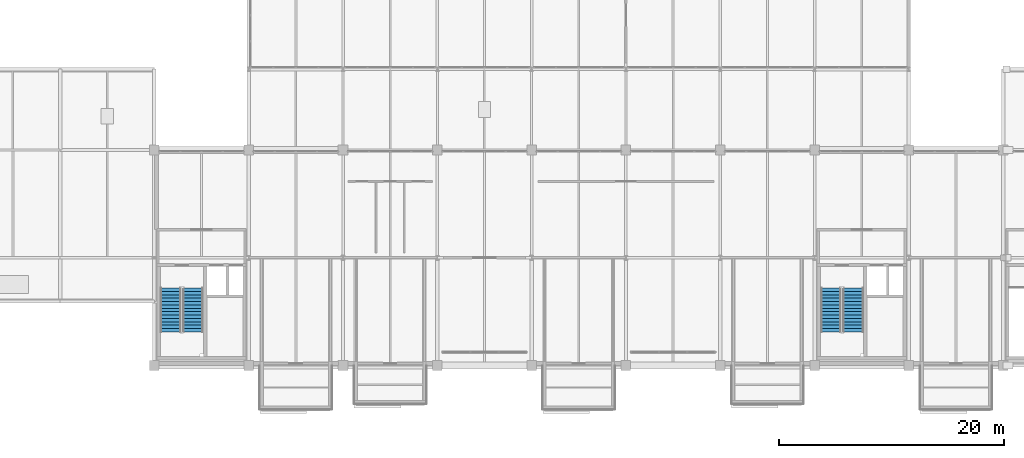
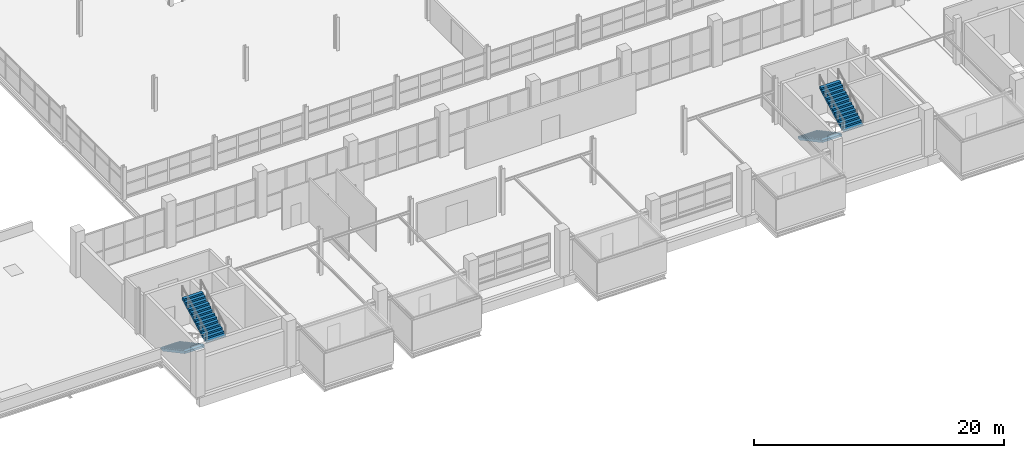
# One storey, part 97 of 103: 4 stair flights, 2 elements without a shape of their own.
"""IFC4 building model written with IfcOpenShell, lengths in metres."""

from ifc_helpers import new_model, si_unit, direction, frame, origin, place, context, subcontext, project, spatial, polyline, outline, extrude, material, type_object, element, aggregate, save


model = new_model("IFC4")

# Units and contexts
model_context = context("Model", 3, precision=1e-05, world=origin(), true_north=direction((0.0, 1.0)))
body_context = subcontext(model_context, "Body", "Model", "MODEL_VIEW")
ifc_project = project(units=[si_unit("LENGTHUNIT", "METRE"), si_unit("AREAUNIT", "SQUARE_METRE"), si_unit("VOLUMEUNIT", "CUBIC_METRE"), si_unit("PLANEANGLEUNIT", "RADIAN"), si_unit("MASSUNIT", "GRAM", prefix="KILO")], contexts=[model_context])

# Site, building, storey
site_placement = place(None, origin())
site = spatial("IfcSite", under=ifc_project, at=site_placement, CompositionType="ELEMENT")
building_placement = place(site_placement, origin())
building = spatial("IfcBuilding", under=site, at=building_placement, Name="Veltarok Museum of Natural Sciences", CompositionType="ELEMENT")
storey_placement = place(building_placement, frame((0.0, 0.0, 21.89990234375)))
storey = spatial("IfcBuildingStorey", under=building, at=storey_placement, Name="L04", CompositionType="ELEMENT", Elevation=21.89990234375)

# Stair, stair flights
ifc_material = material(Name="Precast concrete C40/50", Category="concrete")
stair_type = type_object("IfcStairType", Name="Protected Half-Turn Escape Stair H4500", PredefinedType="HALF_TURN_STAIR", material=ifc_material)
stair_1_placement = place(storey_placement, origin())
stair_1 = element("IfcStair", 1, at=stair_1_placement, inside=storey, type_object=stair_type, Name="Protected Escape Stair ST-01-L04", PredefinedType="HALF_TURN_STAIR")
stair_flight_type = type_object("IfcStairFlightType", Name="Protected Escape Stair Flight W1820", PredefinedType="STRAIGHT", material=ifc_material)
stair_flight_1_placement = place(storey_placement, frame((33.06005859375, 6.89990234375, 0.0), z_axis=(0.0, 0.0, 1.0), x_axis=(0.0, -1.0, 0.0)))
stair_flight_1 = element("IfcStairFlight", 2, at=stair_flight_1_placement, type_object=stair_flight_type, Name="ST-01-L04 flight 1", NumberOfRisers=14, NumberOfTreads=13, PredefinedType="STRAIGHT", RiserHeight=0.160714, TreadLength=0.3, context=body_context, shape_type="SweptSolid", body=[
    extrude(outline(polyline([(0.0, 0.0), (0.0, 0.16064453125), (0.300048828125, 0.16064453125), (0.300048828125, 0.321533203125), (0.60009765625, 0.321533203125), (0.60009765625, 0.482177734375), (0.89990234375, 0.482177734375), (0.89990234375, 0.642822265625), (1.199951171875, 0.642822265625), (1.199951171875, 0.803466796875), (1.5, 0.803466796875), (1.5, 0.96435546875), (1.800048828125, 0.96435546875), (1.800048828125, 1.125), (2.10009765625, 1.125), (2.10009765625, 1.28564453125), (2.39990234375, 1.28564453125), (2.39990234375, 1.446533203125), (2.699951171875, 1.446533203125), (2.699951171875, 1.607177734375), (3.0, 1.607177734375), (3.0, 1.767822265625), (3.300048828125, 1.767822265625), (3.300048828125, 1.928466796875), (3.60009765625, 1.928466796875), (3.60009765625, 2.08935546875), (3.89990234375, 2.08935546875), (3.89990234375, 2.25), (3.89990234375, 1.88525390625), (0.381103515625, 0.0), (0.0, 0.0)])), frame((0.0, 0.91015625, 0.0), z_axis=(0.0, -1.0, 0.0), x_axis=(1.0, 0.0, 0.0)), (0.0, 0.0, 1.0), 1.820068359375),
])
stair_flight_2_placement = place(storey_placement, frame((35.0400390625, 3.0, 2.25), z_axis=(0.0, 0.0, 1.0), x_axis=(0.0, 1.0, 0.0)))
stair_flight_2 = element("IfcStairFlight", 3, at=stair_flight_2_placement, type_object=stair_flight_type, Name="ST-01-L04 flight 2", NumberOfRisers=14, NumberOfTreads=13, PredefinedType="STRAIGHT", RiserHeight=0.160714, TreadLength=0.3, context=body_context, shape_type="SweptSolid", body=[
    extrude(outline(polyline([(0.0, 0.0), (0.0, 0.16064453125), (0.300048828125, 0.16064453125), (0.300048828125, 0.321533203125), (0.60009765625, 0.321533203125), (0.60009765625, 0.482177734375), (0.89990234375, 0.482177734375), (0.89990234375, 0.642822265625), (1.199951171875, 0.642822265625), (1.199951171875, 0.803466796875), (1.5, 0.803466796875), (1.5, 0.96435546875), (1.800048828125, 0.96435546875), (1.800048828125, 1.125), (2.10009765625, 1.125), (2.10009765625, 1.28564453125), (2.39990234375, 1.28564453125), (2.39990234375, 1.446533203125), (2.699951171875, 1.446533203125), (2.699951171875, 1.607177734375), (3.0, 1.607177734375), (3.0, 1.767822265625), (3.300048828125, 1.767822265625), (3.300048828125, 1.928466796875), (3.60009765625, 1.928466796875), (3.60009765625, 2.08935546875), (3.89990234375, 2.08935546875), (3.89990234375, 2.25), (3.89990234375, 1.88525390625), (0.381103515625, 0.0), (0.0, 0.0)])), frame((0.0, 0.91015625, 0.0), z_axis=(0.0, -1.0, 0.0), x_axis=(1.0, 0.0, 0.0)), (0.0, 0.0, 1.0), 1.820068359375),
])
aggregate(stair_1, [stair_flight_1, stair_flight_2])

stair_2_placement = place(storey_placement, origin())
stair_2 = element("IfcStair", 4, at=stair_2_placement, inside=storey, type_object=stair_type, Name="Protected Escape Stair ST-02-L04", PredefinedType="HALF_TURN_STAIR")
stair_flight_3_placement = place(storey_placement, frame((91.860107421875, 6.89990234375, 0.0), z_axis=(0.0, 0.0, 1.0), x_axis=(0.0, -1.0, 0.0)))
stair_flight_3 = element("IfcStairFlight", 5, at=stair_flight_3_placement, type_object=stair_flight_type, Name="ST-02-L04 flight 1", NumberOfRisers=14, NumberOfTreads=13, PredefinedType="STRAIGHT", RiserHeight=0.160714, TreadLength=0.3, context=body_context, shape_type="SweptSolid", body=[
    extrude(outline(polyline([(0.0, 0.0), (0.0, 0.16064453125), (0.300048828125, 0.16064453125), (0.300048828125, 0.321533203125), (0.60009765625, 0.321533203125), (0.60009765625, 0.482177734375), (0.89990234375, 0.482177734375), (0.89990234375, 0.642822265625), (1.199951171875, 0.642822265625), (1.199951171875, 0.803466796875), (1.5, 0.803466796875), (1.5, 0.96435546875), (1.800048828125, 0.96435546875), (1.800048828125, 1.125), (2.10009765625, 1.125), (2.10009765625, 1.28564453125), (2.39990234375, 1.28564453125), (2.39990234375, 1.446533203125), (2.699951171875, 1.446533203125), (2.699951171875, 1.607177734375), (3.0, 1.607177734375), (3.0, 1.767822265625), (3.300048828125, 1.767822265625), (3.300048828125, 1.928466796875), (3.60009765625, 1.928466796875), (3.60009765625, 2.08935546875), (3.89990234375, 2.08935546875), (3.89990234375, 2.25), (3.89990234375, 1.88525390625), (0.381103515625, 0.0), (0.0, 0.0)])), frame((0.0, 0.91015625, 0.0), z_axis=(0.0, -1.0, 0.0), x_axis=(1.0, 0.0, 0.0)), (0.0, 0.0, 1.0), 1.820068359375),
])
stair_flight_4_placement = place(storey_placement, frame((93.840087890625, 3.0, 2.25), z_axis=(0.0, 0.0, 1.0), x_axis=(0.0, 1.0, 0.0)))
stair_flight_4 = element("IfcStairFlight", 6, at=stair_flight_4_placement, type_object=stair_flight_type, Name="ST-02-L04 flight 2", NumberOfRisers=14, NumberOfTreads=13, PredefinedType="STRAIGHT", RiserHeight=0.160714, TreadLength=0.3, context=body_context, shape_type="SweptSolid", body=[
    extrude(outline(polyline([(0.0, 0.0), (0.0, 0.16064453125), (0.300048828125, 0.16064453125), (0.300048828125, 0.321533203125), (0.60009765625, 0.321533203125), (0.60009765625, 0.482177734375), (0.89990234375, 0.482177734375), (0.89990234375, 0.642822265625), (1.199951171875, 0.642822265625), (1.199951171875, 0.803466796875), (1.5, 0.803466796875), (1.5, 0.96435546875), (1.800048828125, 0.96435546875), (1.800048828125, 1.125), (2.10009765625, 1.125), (2.10009765625, 1.28564453125), (2.39990234375, 1.28564453125), (2.39990234375, 1.446533203125), (2.699951171875, 1.446533203125), (2.699951171875, 1.607177734375), (3.0, 1.607177734375), (3.0, 1.767822265625), (3.300048828125, 1.767822265625), (3.300048828125, 1.928466796875), (3.60009765625, 1.928466796875), (3.60009765625, 2.08935546875), (3.89990234375, 2.08935546875), (3.89990234375, 2.25), (3.89990234375, 1.88525390625), (0.381103515625, 0.0), (0.0, 0.0)])), frame((0.0, 0.91015625, 0.0), z_axis=(0.0, -1.0, 0.0), x_axis=(1.0, 0.0, 0.0)), (0.0, 0.0, 1.0), 1.820068359375),
])
aggregate(stair_2, [stair_flight_3, stair_flight_4])

save(model, "model.ifc")
